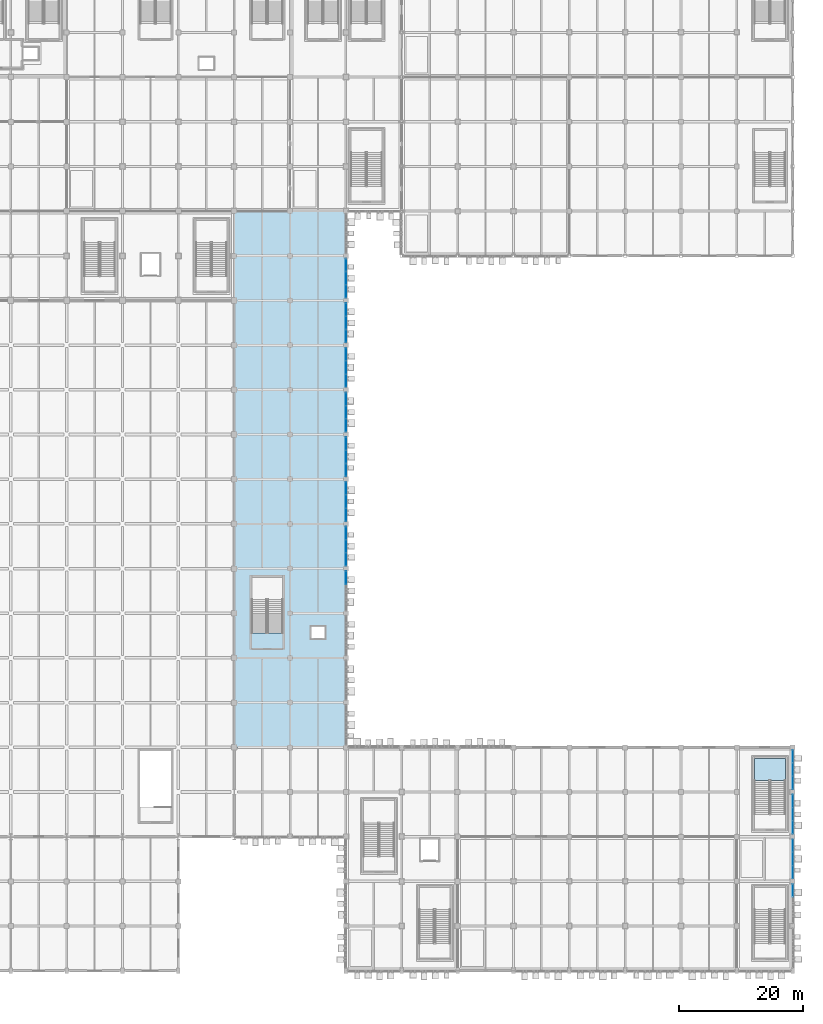
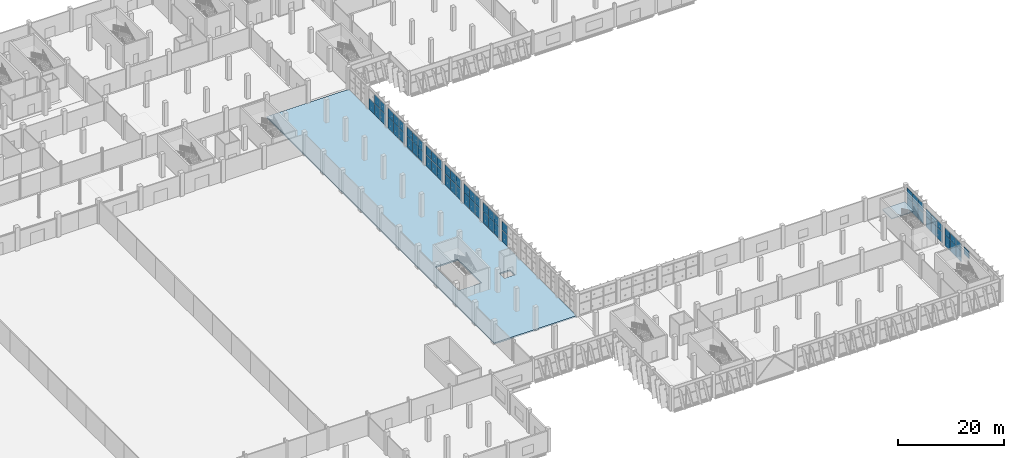
# One storey, part 75 of 137: 62 plates, 2 slabs, 13 elements without a shape of their own.
"""IFC4 building model written with IfcOpenShell, lengths in metres."""

from ifc_helpers import new_model, si_unit, direction, frame, origin, origin_2d, place, context, subcontext, project, spatial, polyline, rectangle, outline, extrude, material, layer, layer_set, type_object, element, aggregate, save


model = new_model("IFC4")

# Units and contexts
model_context = context("Model", 3, precision=1e-05, world=origin(), true_north=direction((0.0, 1.0)))
body_context = subcontext(model_context, "Body", "Model", "MODEL_VIEW")
ifc_project = project(units=[si_unit("LENGTHUNIT", "METRE"), si_unit("AREAUNIT", "SQUARE_METRE"), si_unit("VOLUMEUNIT", "CUBIC_METRE"), si_unit("PLANEANGLEUNIT", "RADIAN"), si_unit("MASSUNIT", "GRAM", prefix="KILO")], contexts=[model_context])

# Site, building, storey
site_placement = place(None, origin())
site = spatial("IfcSite", under=ifc_project, at=site_placement, CompositionType="ELEMENT")
building_placement = place(site_placement, origin())
building = spatial("IfcBuilding", under=site, at=building_placement, Name="Celestram Park Convention Centre", CompositionType="ELEMENT")
storey_placement = place(building_placement, origin())
storey = spatial("IfcBuildingStorey", under=building, at=storey_placement, Name="L00", CompositionType="ELEMENT", Elevation=0.0)

# Curtain wall, plates
ifc_material_1 = material(Name="Anodised Aluminium Alloy 6063-T6", Category="aluminium")
ifc_layer_1 = layer(ifc_material_1, 0.179931640625)
ifc_layer_set_1 = layer_set([ifc_layer_1], Name="Anodised Aluminium Alloy 6063-T6")
curtain_wall_type_1 = type_object("IfcCurtainWallType", Name="ARC-CW-640X482", PredefinedType="NOTDEFINED", material=ifc_layer_set_1)
curtain_wall_1_placement = place(storey_placement, origin())
curtain_wall_1 = element("IfcCurtainWall", 1, at=curtain_wall_1_placement, inside=storey, type_object=curtain_wall_type_1, Name="Unitised curtain wall CU-L00-007", PredefinedType="NOTDEFINED")
ifc_material_2 = material(Name="Insulated Glazing Unit 28 mm", Category="glass")
ifc_layer_2 = layer(ifc_material_2, 0.028076171875)
ifc_layer_set_2 = layer_set([ifc_layer_2], Name="Insulated Glazing Unit 28 mm")
plate_type = type_object("IfcPlateType", Name="ARC-CWP-IGU28", PredefinedType="CURTAIN_PANEL", material=ifc_layer_set_2)
plate_1_placement = place(storey_placement, frame((144.0, 113.718505859375, 0.06005859375), z_axis=(0.0, 0.0, 1.0), x_axis=(0.0, -1.0, 0.0)))
plate_1 = element("IfcPlate", 2, at=plate_1_placement, type_object=plate_type, Name="CW-64X48 panel 1.1", PredefinedType="CURTAIN_PANEL", context=body_context, shape_type="SweptSolid", body=[
    extrude(rectangle(XDim=2.037109375, YDim=0.028076171875, at=origin_2d()), origin(), (0.0, 0.0, 1.0), 2.56005859375),
])
plate_2_placement = place(storey_placement, frame((144.0, 111.60009765625, 0.06005859375), z_axis=(0.0, 0.0, 1.0), x_axis=(0.0, -1.0, 0.0)))
plate_2 = element("IfcPlate", 3, at=plate_2_placement, type_object=plate_type, Name="CW-64X48 panel 2.1", PredefinedType="CURTAIN_PANEL", context=body_context, shape_type="SweptSolid", body=[
    extrude(rectangle(XDim=2.069580078125, YDim=0.028076171875, at=origin_2d()), origin(), (0.0, 0.0, 1.0), 2.56005859375),
])
plate_3_placement = place(storey_placement, frame((144.0, 111.60009765625, 2.679931640625), z_axis=(0.0, 0.0, 1.0), x_axis=(0.0, -1.0, 0.0)))
plate_3 = element("IfcPlate", 4, at=plate_3_placement, type_object=plate_type, Name="CW-64X48 panel 2.2", PredefinedType="CURTAIN_PANEL", context=body_context, shape_type="SweptSolid", body=[
    extrude(rectangle(XDim=2.069580078125, YDim=0.028076171875, at=origin_2d()), origin(), (0.0, 0.0, 1.0), 2.080078125),
])
plate_4_placement = place(storey_placement, frame((144.0, 109.481689453125, 0.06005859375), z_axis=(0.0, 0.0, 1.0), x_axis=(0.0, -1.0, 0.0)))
plate_4 = element("IfcPlate", 5, at=plate_4_placement, type_object=plate_type, Name="CW-64X48 panel 3.1", PredefinedType="CURTAIN_PANEL", context=body_context, shape_type="SweptSolid", body=[
    extrude(rectangle(XDim=2.037109375, YDim=0.028076171875, at=origin_2d()), origin(), (0.0, 0.0, 1.0), 2.56005859375),
])
plate_5_placement = place(storey_placement, frame((144.0, 109.481689453125, 2.679931640625), z_axis=(0.0, 0.0, 1.0), x_axis=(0.0, -1.0, 0.0)))
plate_5 = element("IfcPlate", 6, at=plate_5_placement, type_object=plate_type, Name="CW-64X48 panel 3.2", PredefinedType="CURTAIN_PANEL", context=body_context, shape_type="SweptSolid", body=[
    extrude(rectangle(XDim=2.037109375, YDim=0.028076171875, at=origin_2d()), origin(), (0.0, 0.0, 1.0), 2.080078125),
])
aggregate(curtain_wall_1, [plate_1, plate_2, plate_3, plate_4, plate_5])

curtain_wall_2_placement = place(storey_placement, origin())
curtain_wall_2 = element("IfcCurtainWall", 7, at=curtain_wall_2_placement, inside=storey, type_object=curtain_wall_type_1, Name="Unitised curtain wall CU-L00-008", PredefinedType="NOTDEFINED")
plate_6_placement = place(storey_placement, frame((144.0, 106.518310546875, 0.06005859375), z_axis=(0.0, 0.0, 1.0), x_axis=(0.0, -1.0, 0.0)))
plate_6 = element("IfcPlate", 8, at=plate_6_placement, type_object=plate_type, Name="CW-64X48 panel 1.1", PredefinedType="CURTAIN_PANEL", context=body_context, shape_type="SweptSolid", body=[
    extrude(rectangle(XDim=2.037109375, YDim=0.028076171875, at=origin_2d()), origin(), (0.0, 0.0, 1.0), 2.56005859375),
])
plate_7_placement = place(storey_placement, frame((144.0, 106.518310546875, 2.679931640625), z_axis=(0.0, 0.0, 1.0), x_axis=(0.0, -1.0, 0.0)))
plate_7 = element("IfcPlate", 9, at=plate_7_placement, type_object=plate_type, Name="CW-64X48 panel 1.2", PredefinedType="CURTAIN_PANEL", context=body_context, shape_type="SweptSolid", body=[
    extrude(rectangle(XDim=2.037109375, YDim=0.028076171875, at=origin_2d()), origin(), (0.0, 0.0, 1.0), 2.080078125),
])
plate_8_placement = place(storey_placement, frame((144.0, 104.39990234375, 0.06005859375), z_axis=(0.0, 0.0, 1.0), x_axis=(0.0, -1.0, 0.0)))
plate_8 = element("IfcPlate", 10, at=plate_8_placement, type_object=plate_type, Name="CW-64X48 panel 2.1", PredefinedType="CURTAIN_PANEL", context=body_context, shape_type="SweptSolid", body=[
    extrude(rectangle(XDim=2.069580078125, YDim=0.028076171875, at=origin_2d()), origin(), (0.0, 0.0, 1.0), 2.56005859375),
])
plate_9_placement = place(storey_placement, frame((144.0, 104.39990234375, 2.679931640625), z_axis=(0.0, 0.0, 1.0), x_axis=(0.0, -1.0, 0.0)))
plate_9 = element("IfcPlate", 11, at=plate_9_placement, type_object=plate_type, Name="CW-64X48 panel 2.2", PredefinedType="CURTAIN_PANEL", context=body_context, shape_type="SweptSolid", body=[
    extrude(rectangle(XDim=2.069580078125, YDim=0.028076171875, at=origin_2d()), origin(), (0.0, 0.0, 1.0), 2.080078125),
])
plate_10_placement = place(storey_placement, frame((144.0, 102.281494140625, 0.06005859375), z_axis=(0.0, 0.0, 1.0), x_axis=(0.0, -1.0, 0.0)))
plate_10 = element("IfcPlate", 12, at=plate_10_placement, type_object=plate_type, Name="CW-64X48 panel 3.1", PredefinedType="CURTAIN_PANEL", context=body_context, shape_type="SweptSolid", body=[
    extrude(rectangle(XDim=2.037109375, YDim=0.028076171875, at=origin_2d()), origin(), (0.0, 0.0, 1.0), 2.56005859375),
])
plate_11_placement = place(storey_placement, frame((144.0, 102.281494140625, 2.679931640625), z_axis=(0.0, 0.0, 1.0), x_axis=(0.0, -1.0, 0.0)))
plate_11 = element("IfcPlate", 13, at=plate_11_placement, type_object=plate_type, Name="CW-64X48 panel 3.2", PredefinedType="CURTAIN_PANEL", context=body_context, shape_type="SweptSolid", body=[
    extrude(rectangle(XDim=2.037109375, YDim=0.028076171875, at=origin_2d()), origin(), (0.0, 0.0, 1.0), 2.080078125),
])
aggregate(curtain_wall_2, [plate_6, plate_7, plate_8, plate_9, plate_10, plate_11])

curtain_wall_3_placement = place(storey_placement, origin())
curtain_wall_3 = element("IfcCurtainWall", 14, at=curtain_wall_3_placement, inside=storey, type_object=curtain_wall_type_1, Name="Unitised curtain wall CU-L00-009", PredefinedType="NOTDEFINED")
plate_12_placement = place(storey_placement, frame((144.0, 99.318359375, 0.06005859375), z_axis=(0.0, 0.0, 1.0), x_axis=(0.0, -1.0, 0.0)))
plate_12 = element("IfcPlate", 15, at=plate_12_placement, type_object=plate_type, Name="CW-64X48 panel 1.1", PredefinedType="CURTAIN_PANEL", context=body_context, shape_type="SweptSolid", body=[
    extrude(rectangle(XDim=2.037109375, YDim=0.028076171875, at=origin_2d()), origin(), (0.0, 0.0, 1.0), 2.56005859375),
])
plate_13_placement = place(storey_placement, frame((144.0, 99.318359375, 2.679931640625), z_axis=(0.0, 0.0, 1.0), x_axis=(0.0, -1.0, 0.0)))
plate_13 = element("IfcPlate", 16, at=plate_13_placement, type_object=plate_type, Name="CW-64X48 panel 1.2", PredefinedType="CURTAIN_PANEL", context=body_context, shape_type="SweptSolid", body=[
    extrude(rectangle(XDim=2.037109375, YDim=0.028076171875, at=origin_2d()), origin(), (0.0, 0.0, 1.0), 2.080078125),
])
plate_14_placement = place(storey_placement, frame((144.0, 97.199951171875, 0.06005859375), z_axis=(0.0, 0.0, 1.0), x_axis=(0.0, -1.0, 0.0)))
plate_14 = element("IfcPlate", 17, at=plate_14_placement, type_object=plate_type, Name="CW-64X48 panel 2.1", PredefinedType="CURTAIN_PANEL", context=body_context, shape_type="SweptSolid", body=[
    extrude(rectangle(XDim=2.069580078125, YDim=0.028076171875, at=origin_2d()), origin(), (0.0, 0.0, 1.0), 2.56005859375),
])
plate_15_placement = place(storey_placement, frame((144.0, 97.199951171875, 2.679931640625), z_axis=(0.0, 0.0, 1.0), x_axis=(0.0, -1.0, 0.0)))
plate_15 = element("IfcPlate", 18, at=plate_15_placement, type_object=plate_type, Name="CW-64X48 panel 2.2", PredefinedType="CURTAIN_PANEL", context=body_context, shape_type="SweptSolid", body=[
    extrude(rectangle(XDim=2.069580078125, YDim=0.028076171875, at=origin_2d()), origin(), (0.0, 0.0, 1.0), 2.080078125),
])
plate_16_placement = place(storey_placement, frame((144.0, 95.08154296875, 0.06005859375), z_axis=(0.0, 0.0, 1.0), x_axis=(0.0, -1.0, 0.0)))
plate_16 = element("IfcPlate", 19, at=plate_16_placement, type_object=plate_type, Name="CW-64X48 panel 3.1", PredefinedType="CURTAIN_PANEL", context=body_context, shape_type="SweptSolid", body=[
    extrude(rectangle(XDim=2.037109375, YDim=0.028076171875, at=origin_2d()), origin(), (0.0, 0.0, 1.0), 2.56005859375),
])
plate_17_placement = place(storey_placement, frame((144.0, 95.08154296875, 2.679931640625), z_axis=(0.0, 0.0, 1.0), x_axis=(0.0, -1.0, 0.0)))
plate_17 = element("IfcPlate", 20, at=plate_17_placement, type_object=plate_type, Name="CW-64X48 panel 3.2", PredefinedType="CURTAIN_PANEL", context=body_context, shape_type="SweptSolid", body=[
    extrude(rectangle(XDim=2.037109375, YDim=0.028076171875, at=origin_2d()), origin(), (0.0, 0.0, 1.0), 2.080078125),
])
aggregate(curtain_wall_3, [plate_12, plate_13, plate_14, plate_15, plate_16, plate_17])

curtain_wall_4_placement = place(storey_placement, origin())
curtain_wall_4 = element("IfcCurtainWall", 21, at=curtain_wall_4_placement, inside=storey, type_object=curtain_wall_type_1, Name="Unitised curtain wall CU-L00-010", PredefinedType="NOTDEFINED")
plate_18_placement = place(storey_placement, frame((144.0, 92.118408203125, 0.06005859375), z_axis=(0.0, 0.0, 1.0), x_axis=(0.0, -1.0, 0.0)))
plate_18 = element("IfcPlate", 22, at=plate_18_placement, type_object=plate_type, Name="CW-64X48 panel 1.1", PredefinedType="CURTAIN_PANEL", context=body_context, shape_type="SweptSolid", body=[
    extrude(rectangle(XDim=2.037109375, YDim=0.028076171875, at=origin_2d()), origin(), (0.0, 0.0, 1.0), 2.56005859375),
])
plate_19_placement = place(storey_placement, frame((144.0, 92.118408203125, 2.679931640625), z_axis=(0.0, 0.0, 1.0), x_axis=(0.0, -1.0, 0.0)))
plate_19 = element("IfcPlate", 23, at=plate_19_placement, type_object=plate_type, Name="CW-64X48 panel 1.2", PredefinedType="CURTAIN_PANEL", context=body_context, shape_type="SweptSolid", body=[
    extrude(rectangle(XDim=2.037109375, YDim=0.028076171875, at=origin_2d()), origin(), (0.0, 0.0, 1.0), 2.080078125),
])
plate_20_placement = place(storey_placement, frame((144.0, 90.0, 0.06005859375), z_axis=(0.0, 0.0, 1.0), x_axis=(0.0, -1.0, 0.0)))
plate_20 = element("IfcPlate", 24, at=plate_20_placement, type_object=plate_type, Name="CW-64X48 panel 2.1", PredefinedType="CURTAIN_PANEL", context=body_context, shape_type="SweptSolid", body=[
    extrude(rectangle(XDim=2.069580078125, YDim=0.028076171875, at=origin_2d()), origin(), (0.0, 0.0, 1.0), 2.56005859375),
])
plate_21_placement = place(storey_placement, frame((144.0, 90.0, 2.679931640625), z_axis=(0.0, 0.0, 1.0), x_axis=(0.0, -1.0, 0.0)))
plate_21 = element("IfcPlate", 25, at=plate_21_placement, type_object=plate_type, Name="CW-64X48 panel 2.2", PredefinedType="CURTAIN_PANEL", context=body_context, shape_type="SweptSolid", body=[
    extrude(rectangle(XDim=2.069580078125, YDim=0.028076171875, at=origin_2d()), origin(), (0.0, 0.0, 1.0), 2.080078125),
])
plate_22_placement = place(storey_placement, frame((144.0, 87.881591796875, 0.06005859375), z_axis=(0.0, 0.0, 1.0), x_axis=(0.0, -1.0, 0.0)))
plate_22 = element("IfcPlate", 26, at=plate_22_placement, type_object=plate_type, Name="CW-64X48 panel 3.1", PredefinedType="CURTAIN_PANEL", context=body_context, shape_type="SweptSolid", body=[
    extrude(rectangle(XDim=2.037109375, YDim=0.028076171875, at=origin_2d()), origin(), (0.0, 0.0, 1.0), 2.56005859375),
])
plate_23_placement = place(storey_placement, frame((144.0, 87.881591796875, 2.679931640625), z_axis=(0.0, 0.0, 1.0), x_axis=(0.0, -1.0, 0.0)))
plate_23 = element("IfcPlate", 27, at=plate_23_placement, type_object=plate_type, Name="CW-64X48 panel 3.2", PredefinedType="CURTAIN_PANEL", context=body_context, shape_type="SweptSolid", body=[
    extrude(rectangle(XDim=2.037109375, YDim=0.028076171875, at=origin_2d()), origin(), (0.0, 0.0, 1.0), 2.080078125),
])
aggregate(curtain_wall_4, [plate_18, plate_19, plate_20, plate_21, plate_22, plate_23])

curtain_wall_5_placement = place(storey_placement, origin())
curtain_wall_5 = element("IfcCurtainWall", 28, at=curtain_wall_5_placement, inside=storey, type_object=curtain_wall_type_1, Name="Unitised curtain wall CU-L00-011", PredefinedType="NOTDEFINED")
plate_24_placement = place(storey_placement, frame((144.0, 84.91845703125, 0.06005859375), z_axis=(0.0, 0.0, 1.0), x_axis=(0.0, -1.0, 0.0)))
plate_24 = element("IfcPlate", 29, at=plate_24_placement, type_object=plate_type, Name="CW-64X48 panel 1.1", PredefinedType="CURTAIN_PANEL", context=body_context, shape_type="SweptSolid", body=[
    extrude(rectangle(XDim=2.037109375, YDim=0.028076171875, at=origin_2d()), origin(), (0.0, 0.0, 1.0), 2.56005859375),
])
plate_25_placement = place(storey_placement, frame((144.0, 84.91845703125, 2.679931640625), z_axis=(0.0, 0.0, 1.0), x_axis=(0.0, -1.0, 0.0)))
plate_25 = element("IfcPlate", 30, at=plate_25_placement, type_object=plate_type, Name="CW-64X48 panel 1.2", PredefinedType="CURTAIN_PANEL", context=body_context, shape_type="SweptSolid", body=[
    extrude(rectangle(XDim=2.037109375, YDim=0.028076171875, at=origin_2d()), origin(), (0.0, 0.0, 1.0), 2.080078125),
])
plate_26_placement = place(storey_placement, frame((144.0, 82.800048828125, 0.06005859375), z_axis=(0.0, 0.0, 1.0), x_axis=(0.0, -1.0, 0.0)))
plate_26 = element("IfcPlate", 31, at=plate_26_placement, type_object=plate_type, Name="CW-64X48 panel 2.1", PredefinedType="CURTAIN_PANEL", context=body_context, shape_type="SweptSolid", body=[
    extrude(rectangle(XDim=2.069580078125, YDim=0.028076171875, at=origin_2d()), origin(), (0.0, 0.0, 1.0), 2.56005859375),
])
plate_27_placement = place(storey_placement, frame((144.0, 82.800048828125, 2.679931640625), z_axis=(0.0, 0.0, 1.0), x_axis=(0.0, -1.0, 0.0)))
plate_27 = element("IfcPlate", 32, at=plate_27_placement, type_object=plate_type, Name="CW-64X48 panel 2.2", PredefinedType="CURTAIN_PANEL", context=body_context, shape_type="SweptSolid", body=[
    extrude(rectangle(XDim=2.069580078125, YDim=0.028076171875, at=origin_2d()), origin(), (0.0, 0.0, 1.0), 2.080078125),
])
plate_28_placement = place(storey_placement, frame((144.0, 80.681640625, 0.06005859375), z_axis=(0.0, 0.0, 1.0), x_axis=(0.0, -1.0, 0.0)))
plate_28 = element("IfcPlate", 33, at=plate_28_placement, type_object=plate_type, Name="CW-64X48 panel 3.1", PredefinedType="CURTAIN_PANEL", context=body_context, shape_type="SweptSolid", body=[
    extrude(rectangle(XDim=2.037109375, YDim=0.028076171875, at=origin_2d()), origin(), (0.0, 0.0, 1.0), 2.56005859375),
])
plate_29_placement = place(storey_placement, frame((144.0, 80.681640625, 2.679931640625), z_axis=(0.0, 0.0, 1.0), x_axis=(0.0, -1.0, 0.0)))
plate_29 = element("IfcPlate", 34, at=plate_29_placement, type_object=plate_type, Name="CW-64X48 panel 3.2", PredefinedType="CURTAIN_PANEL", context=body_context, shape_type="SweptSolid", body=[
    extrude(rectangle(XDim=2.037109375, YDim=0.028076171875, at=origin_2d()), origin(), (0.0, 0.0, 1.0), 2.080078125),
])
aggregate(curtain_wall_5, [plate_24, plate_25, plate_26, plate_27, plate_28, plate_29])

curtain_wall_6_placement = place(storey_placement, origin())
curtain_wall_6 = element("IfcCurtainWall", 35, at=curtain_wall_6_placement, inside=storey, type_object=curtain_wall_type_1, Name="Unitised curtain wall CU-L00-012", PredefinedType="NOTDEFINED")
plate_30_placement = place(storey_placement, frame((144.0, 77.718505859375, 0.06005859375), z_axis=(0.0, 0.0, 1.0), x_axis=(0.0, -1.0, 0.0)))
plate_30 = element("IfcPlate", 36, at=plate_30_placement, type_object=plate_type, Name="CW-64X48 panel 1.1", PredefinedType="CURTAIN_PANEL", context=body_context, shape_type="SweptSolid", body=[
    extrude(rectangle(XDim=2.037109375, YDim=0.028076171875, at=origin_2d()), origin(), (0.0, 0.0, 1.0), 2.56005859375),
])
plate_31_placement = place(storey_placement, frame((144.0, 77.718505859375, 2.679931640625), z_axis=(0.0, 0.0, 1.0), x_axis=(0.0, -1.0, 0.0)))
plate_31 = element("IfcPlate", 37, at=plate_31_placement, type_object=plate_type, Name="CW-64X48 panel 1.2", PredefinedType="CURTAIN_PANEL", context=body_context, shape_type="SweptSolid", body=[
    extrude(rectangle(XDim=2.037109375, YDim=0.028076171875, at=origin_2d()), origin(), (0.0, 0.0, 1.0), 2.080078125),
])
plate_32_placement = place(storey_placement, frame((144.0, 75.60009765625, 0.06005859375), z_axis=(0.0, 0.0, 1.0), x_axis=(0.0, -1.0, 0.0)))
plate_32 = element("IfcPlate", 38, at=plate_32_placement, type_object=plate_type, Name="CW-64X48 panel 2.1", PredefinedType="CURTAIN_PANEL", context=body_context, shape_type="SweptSolid", body=[
    extrude(rectangle(XDim=2.069580078125, YDim=0.028076171875, at=origin_2d()), origin(), (0.0, 0.0, 1.0), 2.56005859375),
])
plate_33_placement = place(storey_placement, frame((144.0, 75.60009765625, 2.679931640625), z_axis=(0.0, 0.0, 1.0), x_axis=(0.0, -1.0, 0.0)))
plate_33 = element("IfcPlate", 39, at=plate_33_placement, type_object=plate_type, Name="CW-64X48 panel 2.2", PredefinedType="CURTAIN_PANEL", context=body_context, shape_type="SweptSolid", body=[
    extrude(rectangle(XDim=2.069580078125, YDim=0.028076171875, at=origin_2d()), origin(), (0.0, 0.0, 1.0), 2.080078125),
])
plate_34_placement = place(storey_placement, frame((144.0, 73.481689453125, 0.06005859375), z_axis=(0.0, 0.0, 1.0), x_axis=(0.0, -1.0, 0.0)))
plate_34 = element("IfcPlate", 40, at=plate_34_placement, type_object=plate_type, Name="CW-64X48 panel 3.1", PredefinedType="CURTAIN_PANEL", context=body_context, shape_type="SweptSolid", body=[
    extrude(rectangle(XDim=2.037109375, YDim=0.028076171875, at=origin_2d()), origin(), (0.0, 0.0, 1.0), 2.56005859375),
])
plate_35_placement = place(storey_placement, frame((144.0, 73.481689453125, 2.679931640625), z_axis=(0.0, 0.0, 1.0), x_axis=(0.0, -1.0, 0.0)))
plate_35 = element("IfcPlate", 41, at=plate_35_placement, type_object=plate_type, Name="CW-64X48 panel 3.2", PredefinedType="CURTAIN_PANEL", context=body_context, shape_type="SweptSolid", body=[
    extrude(rectangle(XDim=2.037109375, YDim=0.028076171875, at=origin_2d()), origin(), (0.0, 0.0, 1.0), 2.080078125),
])
aggregate(curtain_wall_6, [plate_30, plate_31, plate_32, plate_33, plate_34, plate_35])

curtain_wall_7_placement = place(storey_placement, origin())
curtain_wall_7 = element("IfcCurtainWall", 42, at=curtain_wall_7_placement, inside=storey, type_object=curtain_wall_type_1, Name="Unitised curtain wall CU-L00-013", PredefinedType="NOTDEFINED")
plate_36_placement = place(storey_placement, frame((144.0, 70.518310546875, 0.06005859375), z_axis=(0.0, 0.0, 1.0), x_axis=(0.0, -1.0, 0.0)))
plate_36 = element("IfcPlate", 43, at=plate_36_placement, type_object=plate_type, Name="CW-64X48 panel 1.1", PredefinedType="CURTAIN_PANEL", context=body_context, shape_type="SweptSolid", body=[
    extrude(rectangle(XDim=2.037109375, YDim=0.028076171875, at=origin_2d()), origin(), (0.0, 0.0, 1.0), 2.56005859375),
])
plate_37_placement = place(storey_placement, frame((144.0, 70.518310546875, 2.679931640625), z_axis=(0.0, 0.0, 1.0), x_axis=(0.0, -1.0, 0.0)))
plate_37 = element("IfcPlate", 44, at=plate_37_placement, type_object=plate_type, Name="CW-64X48 panel 1.2", PredefinedType="CURTAIN_PANEL", context=body_context, shape_type="SweptSolid", body=[
    extrude(rectangle(XDim=2.037109375, YDim=0.028076171875, at=origin_2d()), origin(), (0.0, 0.0, 1.0), 2.080078125),
])
plate_38_placement = place(storey_placement, frame((144.0, 68.39990234375, 0.06005859375), z_axis=(0.0, 0.0, 1.0), x_axis=(0.0, -1.0, 0.0)))
plate_38 = element("IfcPlate", 45, at=plate_38_placement, type_object=plate_type, Name="CW-64X48 panel 2.1", PredefinedType="CURTAIN_PANEL", context=body_context, shape_type="SweptSolid", body=[
    extrude(rectangle(XDim=2.069580078125, YDim=0.028076171875, at=origin_2d()), origin(), (0.0, 0.0, 1.0), 2.56005859375),
])
plate_39_placement = place(storey_placement, frame((144.0, 68.39990234375, 2.679931640625), z_axis=(0.0, 0.0, 1.0), x_axis=(0.0, -1.0, 0.0)))
plate_39 = element("IfcPlate", 46, at=plate_39_placement, type_object=plate_type, Name="CW-64X48 panel 2.2", PredefinedType="CURTAIN_PANEL", context=body_context, shape_type="SweptSolid", body=[
    extrude(rectangle(XDim=2.069580078125, YDim=0.028076171875, at=origin_2d()), origin(), (0.0, 0.0, 1.0), 2.080078125),
])
plate_40_placement = place(storey_placement, frame((144.0, 66.281494140625, 0.06005859375), z_axis=(0.0, 0.0, 1.0), x_axis=(0.0, -1.0, 0.0)))
plate_40 = element("IfcPlate", 47, at=plate_40_placement, type_object=plate_type, Name="CW-64X48 panel 3.1", PredefinedType="CURTAIN_PANEL", context=body_context, shape_type="SweptSolid", body=[
    extrude(rectangle(XDim=2.037109375, YDim=0.028076171875, at=origin_2d()), origin(), (0.0, 0.0, 1.0), 2.56005859375),
])
plate_41_placement = place(storey_placement, frame((144.0, 66.281494140625, 2.679931640625), z_axis=(0.0, 0.0, 1.0), x_axis=(0.0, -1.0, 0.0)))
plate_41 = element("IfcPlate", 48, at=plate_41_placement, type_object=plate_type, Name="CW-64X48 panel 3.2", PredefinedType="CURTAIN_PANEL", context=body_context, shape_type="SweptSolid", body=[
    extrude(rectangle(XDim=2.037109375, YDim=0.028076171875, at=origin_2d()), origin(), (0.0, 0.0, 1.0), 2.080078125),
])
aggregate(curtain_wall_7, [plate_36, plate_37, plate_38, plate_39, plate_40, plate_41])

curtain_wall_8_placement = place(storey_placement, origin())
curtain_wall_8 = element("IfcCurtainWall", 49, at=curtain_wall_8_placement, inside=storey, type_object=curtain_wall_type_1, Name="Unitised curtain wall CU-L00-014", PredefinedType="NOTDEFINED")
plate_42_placement = place(storey_placement, frame((144.0, 63.318359375, 0.06005859375), z_axis=(0.0, 0.0, 1.0), x_axis=(0.0, -1.0, 0.0)))
plate_42 = element("IfcPlate", 50, at=plate_42_placement, type_object=plate_type, Name="CW-64X48 panel 1.1", PredefinedType="CURTAIN_PANEL", context=body_context, shape_type="SweptSolid", body=[
    extrude(rectangle(XDim=2.037109375, YDim=0.028076171875, at=origin_2d()), origin(), (0.0, 0.0, 1.0), 2.56005859375),
])
plate_43_placement = place(storey_placement, frame((144.0, 63.318359375, 2.679931640625), z_axis=(0.0, 0.0, 1.0), x_axis=(0.0, -1.0, 0.0)))
plate_43 = element("IfcPlate", 51, at=plate_43_placement, type_object=plate_type, Name="CW-64X48 panel 1.2", PredefinedType="CURTAIN_PANEL", context=body_context, shape_type="SweptSolid", body=[
    extrude(rectangle(XDim=2.037109375, YDim=0.028076171875, at=origin_2d()), origin(), (0.0, 0.0, 1.0), 2.080078125),
])
aggregate(curtain_wall_8, [plate_42, plate_43])

curtain_wall_9_placement = place(storey_placement, origin())
curtain_wall_9 = element("IfcCurtainWall", 52, at=curtain_wall_9_placement, inside=storey, type_object=curtain_wall_type_1, Name="Unitised curtain wall CU-L00-021", PredefinedType="NOTDEFINED")
plate_44_placement = place(storey_placement, frame((216.0, 34.518310546875, 0.06005859375), z_axis=(0.0, 0.0, 1.0), x_axis=(0.0, -1.0, 0.0)))
plate_44 = element("IfcPlate", 53, at=plate_44_placement, type_object=plate_type, Name="CW-64X48 panel 1.1", PredefinedType="CURTAIN_PANEL", context=body_context, shape_type="SweptSolid", body=[
    extrude(rectangle(XDim=2.037109375, YDim=0.028076171875, at=origin_2d()), origin(), (0.0, 0.0, 1.0), 2.56005859375),
])
plate_45_placement = place(storey_placement, frame((216.0, 34.518310546875, 2.679931640625), z_axis=(0.0, 0.0, 1.0), x_axis=(0.0, -1.0, 0.0)))
plate_45 = element("IfcPlate", 54, at=plate_45_placement, type_object=plate_type, Name="CW-64X48 panel 1.2", PredefinedType="CURTAIN_PANEL", context=body_context, shape_type="SweptSolid", body=[
    extrude(rectangle(XDim=2.037109375, YDim=0.028076171875, at=origin_2d()), origin(), (0.0, 0.0, 1.0), 2.080078125),
])
plate_46_placement = place(storey_placement, frame((216.0, 32.39990234375, 0.06005859375), z_axis=(0.0, 0.0, 1.0), x_axis=(0.0, -1.0, 0.0)))
plate_46 = element("IfcPlate", 55, at=plate_46_placement, type_object=plate_type, Name="CW-64X48 panel 2.1", PredefinedType="CURTAIN_PANEL", context=body_context, shape_type="SweptSolid", body=[
    extrude(rectangle(XDim=2.069580078125, YDim=0.028076171875, at=origin_2d()), origin(), (0.0, 0.0, 1.0), 2.56005859375),
])
plate_47_placement = place(storey_placement, frame((216.0, 32.39990234375, 2.679931640625), z_axis=(0.0, 0.0, 1.0), x_axis=(0.0, -1.0, 0.0)))
plate_47 = element("IfcPlate", 56, at=plate_47_placement, type_object=plate_type, Name="CW-64X48 panel 2.2", PredefinedType="CURTAIN_PANEL", context=body_context, shape_type="SweptSolid", body=[
    extrude(rectangle(XDim=2.069580078125, YDim=0.028076171875, at=origin_2d()), origin(), (0.0, 0.0, 1.0), 2.080078125),
])
plate_48_placement = place(storey_placement, frame((216.0, 30.281494140625, 0.06005859375), z_axis=(0.0, 0.0, 1.0), x_axis=(0.0, -1.0, 0.0)))
plate_48 = element("IfcPlate", 57, at=plate_48_placement, type_object=plate_type, Name="CW-64X48 panel 3.1", PredefinedType="CURTAIN_PANEL", context=body_context, shape_type="SweptSolid", body=[
    extrude(rectangle(XDim=2.037109375, YDim=0.028076171875, at=origin_2d()), origin(), (0.0, 0.0, 1.0), 2.56005859375),
])
plate_49_placement = place(storey_placement, frame((216.0, 30.281494140625, 2.679931640625), z_axis=(0.0, 0.0, 1.0), x_axis=(0.0, -1.0, 0.0)))
plate_49 = element("IfcPlate", 58, at=plate_49_placement, type_object=plate_type, Name="CW-64X48 panel 3.2", PredefinedType="CURTAIN_PANEL", context=body_context, shape_type="SweptSolid", body=[
    extrude(rectangle(XDim=2.037109375, YDim=0.028076171875, at=origin_2d()), origin(), (0.0, 0.0, 1.0), 2.080078125),
])
aggregate(curtain_wall_9, [plate_44, plate_45, plate_46, plate_47, plate_48, plate_49])

ifc_layer_3 = layer(ifc_material_1, 0.179931640625)
ifc_layer_set_3 = layer_set([ifc_layer_3], Name="Anodised Aluminium Alloy 6063-T6")
curtain_wall_type_2 = type_object("IfcCurtainWallType", Name="ARC-CW-640X426", PredefinedType="NOTDEFINED", material=ifc_layer_set_3)
curtain_wall_10_placement = place(storey_placement, origin())
curtain_wall_10 = element("IfcCurtainWall", 59, at=curtain_wall_10_placement, inside=storey, type_object=curtain_wall_type_2, Name="Unitised curtain wall CU-L00-022", PredefinedType="NOTDEFINED")
plate_50_placement = place(storey_placement, frame((216.0, 27.318359375, 0.06005859375), z_axis=(0.0, 0.0, 1.0), x_axis=(0.0, -1.0, 0.0)))
plate_50 = element("IfcPlate", 60, at=plate_50_placement, type_object=plate_type, Name="CW-64X42 panel 1.1", PredefinedType="CURTAIN_PANEL", context=body_context, shape_type="SweptSolid", body=[
    extrude(rectangle(XDim=2.037109375, YDim=0.028076171875, at=origin_2d()), origin(), (0.0, 0.0, 1.0), 2.468017578125),
])
plate_51_placement = place(storey_placement, frame((216.0, 27.318359375, 2.587890625), z_axis=(0.0, 0.0, 1.0), x_axis=(0.0, -1.0, 0.0)))
plate_51 = element("IfcPlate", 61, at=plate_51_placement, type_object=plate_type, Name="CW-64X42 panel 1.2", PredefinedType="CURTAIN_PANEL", context=body_context, shape_type="SweptSolid", body=[
    extrude(rectangle(XDim=2.037109375, YDim=0.028076171875, at=origin_2d()), origin(), (0.0, 0.0, 1.0), 1.615966796875),
])
plate_52_placement = place(storey_placement, frame((216.0, 25.199951171875, 0.06005859375), z_axis=(0.0, 0.0, 1.0), x_axis=(0.0, -1.0, 0.0)))
plate_52 = element("IfcPlate", 62, at=plate_52_placement, type_object=plate_type, Name="CW-64X42 panel 2.1", PredefinedType="CURTAIN_PANEL", context=body_context, shape_type="SweptSolid", body=[
    extrude(rectangle(XDim=2.069580078125, YDim=0.028076171875, at=origin_2d()), origin(), (0.0, 0.0, 1.0), 2.468017578125),
])
plate_53_placement = place(storey_placement, frame((216.0, 25.199951171875, 2.587890625), z_axis=(0.0, 0.0, 1.0), x_axis=(0.0, -1.0, 0.0)))
plate_53 = element("IfcPlate", 63, at=plate_53_placement, type_object=plate_type, Name="CW-64X42 panel 2.2", PredefinedType="CURTAIN_PANEL", context=body_context, shape_type="SweptSolid", body=[
    extrude(rectangle(XDim=2.069580078125, YDim=0.028076171875, at=origin_2d()), origin(), (0.0, 0.0, 1.0), 1.615966796875),
])
plate_54_placement = place(storey_placement, frame((216.0, 23.08154296875, 0.06005859375), z_axis=(0.0, 0.0, 1.0), x_axis=(0.0, -1.0, 0.0)))
plate_54 = element("IfcPlate", 64, at=plate_54_placement, type_object=plate_type, Name="CW-64X42 panel 3.1", PredefinedType="CURTAIN_PANEL", context=body_context, shape_type="SweptSolid", body=[
    extrude(rectangle(XDim=2.037109375, YDim=0.028076171875, at=origin_2d()), origin(), (0.0, 0.0, 1.0), 2.468017578125),
])
plate_55_placement = place(storey_placement, frame((216.0, 23.08154296875, 2.587890625), z_axis=(0.0, 0.0, 1.0), x_axis=(0.0, -1.0, 0.0)))
plate_55 = element("IfcPlate", 65, at=plate_55_placement, type_object=plate_type, Name="CW-64X42 panel 3.2", PredefinedType="CURTAIN_PANEL", context=body_context, shape_type="SweptSolid", body=[
    extrude(rectangle(XDim=2.037109375, YDim=0.028076171875, at=origin_2d()), origin(), (0.0, 0.0, 1.0), 1.615966796875),
])
aggregate(curtain_wall_10, [plate_50, plate_51, plate_52, plate_53, plate_54, plate_55])

curtain_wall_11_placement = place(storey_placement, origin())
curtain_wall_11 = element("IfcCurtainWall", 66, at=curtain_wall_11_placement, inside=storey, type_object=curtain_wall_type_2, Name="Unitised curtain wall CU-L00-023", PredefinedType="NOTDEFINED")
plate_56_placement = place(storey_placement, frame((216.0, 20.118408203125, 0.06005859375), z_axis=(0.0, 0.0, 1.0), x_axis=(0.0, -1.0, 0.0)))
plate_56 = element("IfcPlate", 67, at=plate_56_placement, type_object=plate_type, Name="CW-64X42 panel 1.1", PredefinedType="CURTAIN_PANEL", context=body_context, shape_type="SweptSolid", body=[
    extrude(rectangle(XDim=2.037109375, YDim=0.028076171875, at=origin_2d()), origin(), (0.0, 0.0, 1.0), 2.468017578125),
])
plate_57_placement = place(storey_placement, frame((216.0, 20.118408203125, 2.587890625), z_axis=(0.0, 0.0, 1.0), x_axis=(0.0, -1.0, 0.0)))
plate_57 = element("IfcPlate", 68, at=plate_57_placement, type_object=plate_type, Name="CW-64X42 panel 1.2", PredefinedType="CURTAIN_PANEL", context=body_context, shape_type="SweptSolid", body=[
    extrude(rectangle(XDim=2.037109375, YDim=0.028076171875, at=origin_2d()), origin(), (0.0, 0.0, 1.0), 1.615966796875),
])
plate_58_placement = place(storey_placement, frame((216.0, 18.0, 0.06005859375), z_axis=(0.0, 0.0, 1.0), x_axis=(0.0, -1.0, 0.0)))
plate_58 = element("IfcPlate", 69, at=plate_58_placement, type_object=plate_type, Name="CW-64X42 panel 2.1", PredefinedType="CURTAIN_PANEL", context=body_context, shape_type="SweptSolid", body=[
    extrude(rectangle(XDim=2.069580078125, YDim=0.028076171875, at=origin_2d()), origin(), (0.0, 0.0, 1.0), 2.468017578125),
])
plate_59_placement = place(storey_placement, frame((216.0, 18.0, 2.587890625), z_axis=(0.0, 0.0, 1.0), x_axis=(0.0, -1.0, 0.0)))
plate_59 = element("IfcPlate", 70, at=plate_59_placement, type_object=plate_type, Name="CW-64X42 panel 2.2", PredefinedType="CURTAIN_PANEL", context=body_context, shape_type="SweptSolid", body=[
    extrude(rectangle(XDim=2.069580078125, YDim=0.028076171875, at=origin_2d()), origin(), (0.0, 0.0, 1.0), 1.615966796875),
])
plate_60_placement = place(storey_placement, frame((216.0, 15.881591796875, 0.06005859375), z_axis=(0.0, 0.0, 1.0), x_axis=(0.0, -1.0, 0.0)))
plate_60 = element("IfcPlate", 71, at=plate_60_placement, type_object=plate_type, Name="CW-64X42 panel 3.1", PredefinedType="CURTAIN_PANEL", context=body_context, shape_type="SweptSolid", body=[
    extrude(rectangle(XDim=2.037109375, YDim=0.028076171875, at=origin_2d()), origin(), (0.0, 0.0, 1.0), 2.468017578125),
])
plate_61_placement = place(storey_placement, frame((216.0, 15.881591796875, 2.587890625), z_axis=(0.0, 0.0, 1.0), x_axis=(0.0, -1.0, 0.0)))
plate_61 = element("IfcPlate", 72, at=plate_61_placement, type_object=plate_type, Name="CW-64X42 panel 3.2", PredefinedType="CURTAIN_PANEL", context=body_context, shape_type="SweptSolid", body=[
    extrude(rectangle(XDim=2.037109375, YDim=0.028076171875, at=origin_2d()), origin(), (0.0, 0.0, 1.0), 1.615966796875),
])
aggregate(curtain_wall_11, [plate_56, plate_57, plate_58, plate_59, plate_60, plate_61])

# Curtain wall, plate
curtain_wall_12_placement = place(storey_placement, origin())
curtain_wall_12 = element("IfcCurtainWall", 73, at=curtain_wall_12_placement, inside=storey, type_object=curtain_wall_type_2, Name="Unitised curtain wall CU-L00-024", PredefinedType="NOTDEFINED")
plate_62_placement = place(storey_placement, frame((216.0, 12.91845703125, 2.587890625), z_axis=(0.0, 0.0, 1.0), x_axis=(0.0, -1.0, 0.0)))
plate_62 = element("IfcPlate", 74, at=plate_62_placement, type_object=plate_type, Name="CW-64X42 panel 1.2", PredefinedType="CURTAIN_PANEL", context=body_context, shape_type="SweptSolid", body=[
    extrude(rectangle(XDim=2.037109375, YDim=0.028076171875, at=origin_2d()), origin(), (0.0, 0.0, 1.0), 1.615966796875),
])
aggregate(curtain_wall_12, [plate_62])

# Slab
ifc_material_3 = material(Name="Concrete C35/45", Category="concrete")
ifc_layer_4 = layer(ifc_material_3, 0.320068359375)
ifc_layer_set_4 = layer_set([ifc_layer_4], Name="Concrete C35/45")
slab_type_1 = type_object("IfcSlabType", Name="STR-SLB-DCK320", PredefinedType="FLOOR", material=ifc_layer_set_4)
slab_1_placement = place(storey_placement, frame((0.0, 0.0, -0.320068359375)))
element("IfcSlab", 75, at=slab_1_placement, inside=storey, type_object=slab_type_1, Name="Floor slab L00-SPN", PredefinedType="FLOOR", context=body_context, shape_type="SweptSolid", body=[
    extrude(outline(polyline([(126.0, 36.0), (126.0, 122.39990234375), (144.0, 122.39990234375), (144.0, 36.0), (126.0, 36.0)]), holes=[polyline([(138.35009765625, 53.550048828125), (140.64990234375, 53.550048828125), (140.64990234375, 55.449951171875), (138.35009765625, 55.449951171875), (138.35009765625, 53.550048828125)]), polyline([(133.800048828125, 63.39990234375), (128.840087890625, 63.39990234375), (128.840087890625, 54.406005859375), (133.800048828125, 54.406005859375), (133.800048828125, 63.39990234375)])]), origin(), (0.0, 0.0, 1.0), 0.320068359375),
])

# Stair, slab
ifc_material_4 = material(Name="Precast Concrete C40/50", Category="concrete")
stair_type = type_object("IfcStairType", Name="ARC-STR-DOG54", PredefinedType="HALF_TURN_STAIR", material=ifc_material_4)
stair_placement = place(storey_placement, origin())
stair = element("IfcStair", 76, at=stair_placement, inside=storey, type_object=stair_type, Name="L00 Core S12 stair ST-12", PredefinedType="HALF_TURN_STAIR")
ifc_layer_5 = layer(ifc_material_3, 0.199951171875)
ifc_layer_set_5 = layer_set([ifc_layer_5], Name="Concrete C35/45")
slab_type_2 = type_object("IfcSlabType", Name="STR-SLB-LND200", PredefinedType="LANDING", material=ifc_layer_set_5)
slab_2_placement = place(storey_placement, frame((0.0, 0.0, 2.5)))
slab_2 = element("IfcSlab", 77, at=slab_2_placement, type_object=slab_type_2, Name="ST-12 landing 1", PredefinedType="LANDING", context=body_context, shape_type="SweptSolid", body=[
    extrude(outline(polyline([(214.800048828125, 30.634033203125), (214.800048828125, 34.199951171875), (209.840087890625, 34.199951171875), (209.840087890625, 30.634033203125), (214.800048828125, 30.634033203125)])), origin(), (0.0, 0.0, 1.0), 0.199951171875),
])
aggregate(stair, [slab_2])

save(model, "model.ifc")
